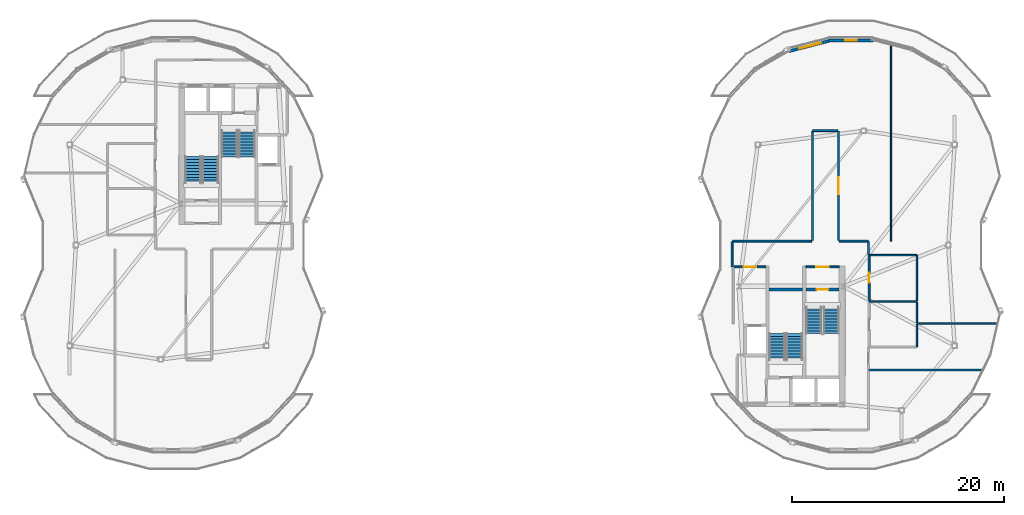
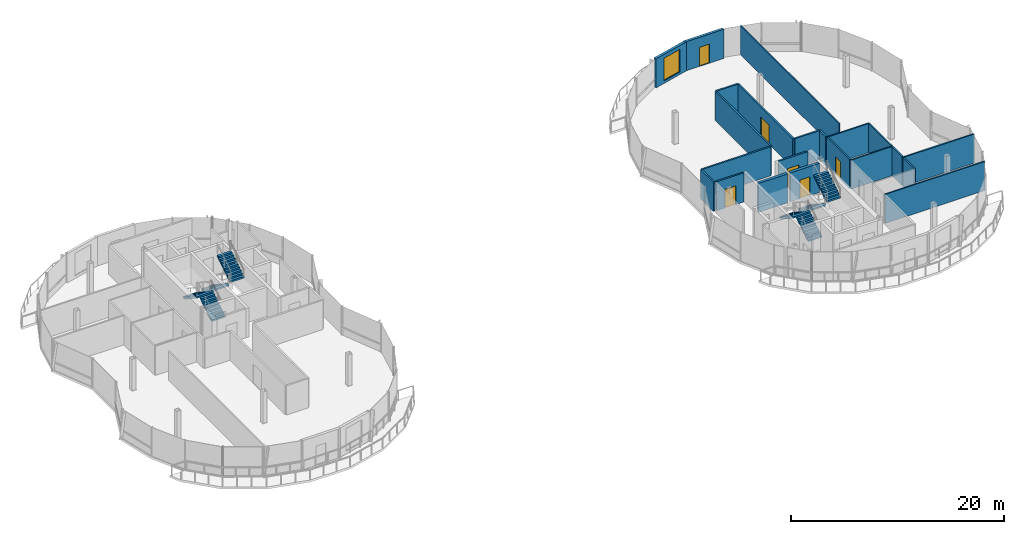
# One storey, part 14 of 20: 22 walls, 8 stair flights, 6 doors, 1 window, 7 openings, 4 elements without a shape of their own.
"""IFC4 building model written with IfcOpenShell, lengths in metres."""

import ifcopenshell
import ifcopenshell.guid

model = None  # the IFC model being written
_history = None  # IfcOwnerHistory: only IFC2X3 demands one
_inside = {}  # id of a spatial element -> (the spatial element, [elements in it])
_under = {}  # id of a project, library or spatial element -> (it, [spatial elements below it])
_declared = {}  # id of a project -> (the project, [libraries it declares])
_typed = {}  # id of a type object -> (the type object, [elements of that type])
_made_of = {}  # id of a material, layer set ... -> (it, [elements and type objects made of it])


def new_model(schema):
    """Start an empty IFC model of exactly this schema.

    Asked for "IFC4X3", IfcOpenShell would pick the latest addendum, in which some entities
    have other attributes; the version numbers below select the first issue.
    IFC2X3 requires an IfcOwnerHistory on every rooted entity: one is made here for all.
    """
    global model, _history
    if schema == "IFC4X3":
        model = ifcopenshell.file(schema_version=(4, 3, 0, 0))
    else:
        model = ifcopenshell.file(schema=schema)
    _inside.clear()
    _under.clear()
    _declared.clear()
    _typed.clear()
    _made_of.clear()
    _history = None
    if model.schema == "IFC2X3":
        org = make("IfcOrganization", Name="unknown")
        user = make(
            "IfcPersonAndOrganization",
            ThePerson=make("IfcPerson", FamilyName="unknown"),
            TheOrganization=org,
        )
        app = make(
            "IfcApplication",
            ApplicationDeveloper=org,
            Version="unknown",
            ApplicationFullName="unknown",
            ApplicationIdentifier="unknown",
        )
        _history = make(
            "IfcOwnerHistory",
            OwningUser=user,
            OwningApplication=app,
            ChangeAction="ADDED",
            CreationDate=0,
        )
    return model


def make(cls, **values):
    """One entity of the class cls with the attributes given. An attribute that is None is left unset."""
    return model.create_entity(
        cls, **{name: value for name, value in values.items() if value is not None}
    )


def rooted(cls, **values):
    """An entity with a GlobalId (a new one), such as an element, a storey or a relation."""
    return make(cls, GlobalId=ifcopenshell.guid.new(), OwnerHistory=_history, **values)


def si_unit(unit_type, name, prefix=None):
    """IfcSIUnit, for example si_unit("LENGTHUNIT", "METRE", prefix="MILLI")."""
    return make("IfcSIUnit", UnitType=unit_type, Prefix=prefix, Name=name)


def assignment(units):
    """IfcUnitAssignment: the units of a project."""
    return None if units is None else make("IfcUnitAssignment", Units=units)


def point(xyz):
    """IfcCartesianPoint."""
    return None if xyz is None else make("IfcCartesianPoint", Coordinates=xyz)


def direction(xyz):
    """IfcDirection."""
    return None if xyz is None else make("IfcDirection", DirectionRatios=xyz)


def frame(location, z_axis=None, x_axis=None):
    """IfcAxis2Placement3D, a coordinate frame: its origin and axes. An axis left out is left unset."""
    return make(
        "IfcAxis2Placement3D",
        Location=point(location),
        Axis=direction(z_axis),
        RefDirection=direction(x_axis),
    )


def frame_2d(location, x_axis=None):
    """IfcAxis2Placement2D, a coordinate frame in the plane: its origin and x axis."""
    return make(
        "IfcAxis2Placement2D", Location=point(location), RefDirection=direction(x_axis)
    )


def origin():
    """The frame at (0, 0, 0) with its axes left unset."""
    return frame((0.0, 0.0, 0.0))


def place(relative_to, where):
    """IfcLocalPlacement: puts the frame where relative to a parent placement (None: the world)."""
    return make(
        "IfcLocalPlacement", PlacementRelTo=relative_to, RelativePlacement=where
    )


def context(
    kind, dimensions, precision=None, world=None, true_north=None, identifier=None
):
    """IfcGeometricRepresentationContext, for example the 3D "Model" context."""
    return make(
        "IfcGeometricRepresentationContext",
        ContextIdentifier=identifier,
        ContextType=kind,
        CoordinateSpaceDimension=dimensions,
        Precision=precision,
        WorldCoordinateSystem=world,
        TrueNorth=true_north,
    )


def subcontext(parent, identifier, kind, view, scale=None):
    """IfcGeometricRepresentationSubContext, for example "Body" below "Model"."""
    return make(
        "IfcGeometricRepresentationSubContext",
        ContextIdentifier=identifier,
        ContextType=kind,
        ParentContext=parent,
        TargetScale=scale,
        TargetView=view,
    )


def project(units=None, contexts=None):
    """IfcProject with its units and contexts."""
    return rooted(
        "IfcProject",
        Name="project",
        RepresentationContexts=contexts,
        UnitsInContext=assignment(units),
    )


def spatial(cls, under=None, at=None, **own):
    """A site, building, storey or space (cls), placed at a placement, below another one or the project."""
    s = rooted(cls, ObjectPlacement=at, **own)
    if under is not None:
        _under.setdefault(under.id(), (under, []))[1].append(s)
    return s


def polyline(points):
    """IfcPolyline through the points."""
    return make("IfcPolyline", Points=[point(p) for p in points])


def profile(cls, at=None, kind="AREA", **sizes):
    """A parametric profile (cls). Its sizes go by their IFC names, for example OverallWidth=200.0."""
    return make(cls, ProfileType=kind, Position=at, **sizes)


def rectangle(**sizes):
    """IfcRectangleProfileDef."""
    return profile("IfcRectangleProfileDef", **sizes)


def outline(outer, holes=None, kind="AREA"):
    """IfcArbitraryClosedProfileDef: a profile drawn as a closed curve; with holes, ...WithVoids."""
    if holes is None:
        return make("IfcArbitraryClosedProfileDef", ProfileType=kind, OuterCurve=outer)
    return make(
        "IfcArbitraryProfileDefWithVoids",
        ProfileType=kind,
        OuterCurve=outer,
        InnerCurves=holes,
    )


def extrude(swept, where, along, depth):
    """IfcExtrudedAreaSolid: the profile swept, set in the frame where, extruded along a direction by depth."""
    return make(
        "IfcExtrudedAreaSolid",
        SweptArea=swept,
        Position=where,
        ExtrudedDirection=direction(along),
        Depth=depth,
    )


def shape(context_of_items, identifier, shape_type, items):
    """IfcShapeRepresentation: the items that make up one representation, for example the "Body"."""
    return make(
        "IfcShapeRepresentation",
        ContextOfItems=context_of_items,
        RepresentationIdentifier=identifier,
        RepresentationType=shape_type,
        Items=items,
    )


def material(Name=None, Category=None):
    """IfcMaterial."""
    return make("IfcMaterial", Name=Name, Category=Category)


def layer(
    of_material, thickness, ventilated=None, Name=None, Category=None, Priority=None
):
    """IfcMaterialLayer: one layer of a wall or slab, of a material (None: an air gap)."""
    return make(
        "IfcMaterialLayer",
        Material=of_material,
        LayerThickness=thickness,
        IsVentilated=ventilated,
        Name=Name,
        Category=Category,
        Priority=Priority,
    )


def layer_set(layers, Name=None):
    """IfcMaterialLayerSet."""
    return make("IfcMaterialLayerSet", MaterialLayers=layers, LayerSetName=Name)


def made_of(thing, what):
    """Note that an element or type object is made of a material, layer set ...; save() writes the relation."""
    if what is not None:
        _made_of.setdefault(what.id(), (what, []))[1].append(thing)
    return thing


def type_object(cls, material=None, **own):
    """A type object (cls), such as IfcWallType, which elements share."""
    return made_of(rooted(cls, **own), material)


def element(
    cls,
    number,
    at=None,
    inside=None,
    cuts=None,
    type_object=None,
    material=None,
    context=None,
    identifier="Body",
    shape_type=None,
    held_by="IfcProductDefinitionShape",
    body=None,
    shapes=None,
    **own,
):
    """One element of the class cls, such as IfcWall. Its Tag is "e" and its number.

    at: its placement. inside: the storey or other place that contains it. cuts: it is an
    opening in that element (IfcRelVoidsElement). A single representation is given by context,
    identifier, shape_type and body (its items); several are given by shapes. held_by: the class
    of the entity that holds the representations. save() writes the other relations.
    """
    e = rooted(cls, Tag="e%d" % number, ObjectPlacement=at, **own)
    if body is not None:
        shapes = [shape(context, identifier, shape_type, body)]
    if shapes is not None:
        e.Representation = make(held_by, Representations=shapes)
    if inside is not None:
        _inside.setdefault(inside.id(), (inside, []))[1].append(e)
    if cuts is not None:
        rooted(
            "IfcRelVoidsElement", RelatingBuildingElement=cuts, RelatedOpeningElement=e
        )
    if type_object is not None:
        _typed.setdefault(type_object.id(), (type_object, []))[1].append(e)
    return made_of(e, material)


def fill(opening, filler):
    """IfcRelFillsElement: the door or window that sits in an opening."""
    return rooted(
        "IfcRelFillsElement",
        RelatingOpeningElement=opening,
        RelatedBuildingElement=filler,
    )


def aggregate(whole, parts):
    """IfcRelAggregates: a whole, such as a stair, and the parts it consists of."""
    return rooted("IfcRelAggregates", RelatingObject=whole, RelatedObjects=parts)


def save(model, path):
    """Write the relations noted so far, then the file.

    IfcRelAggregates (storeys below a building ...), IfcRelContainedInSpatialStructure (elements
    in a storey), IfcRelDefinesByType, IfcRelAssociatesMaterial and IfcRelDeclares: one each for
    every whole, place, type object, material and project.
    """
    for whole, parts in _under.values():
        aggregate(whole, parts)
    for where, things in _inside.values():
        rooted(
            "IfcRelContainedInSpatialStructure",
            RelatedElements=things,
            RelatingStructure=where,
        )
    for kind, things in _typed.values():
        rooted("IfcRelDefinesByType", RelatedObjects=things, RelatingType=kind)
    for what, things in _made_of.values():
        rooted("IfcRelAssociatesMaterial", RelatedObjects=things, RelatingMaterial=what)
    for by, libraries in _declared.values():
        rooted("IfcRelDeclares", RelatingContext=by, RelatedDefinitions=libraries)
    model.write(path)


model = new_model("IFC4")

# Units and contexts
model_context = context("Model", 3, precision=1e-05, world=origin(), true_north=direction((0.0, 1.0)))
body_context = subcontext(model_context, "Body", "Model", "MODEL_VIEW")
ifc_project = project(units=[si_unit("LENGTHUNIT", "METRE"), si_unit("AREAUNIT", "SQUARE_METRE"), si_unit("VOLUMEUNIT", "CUBIC_METRE"), si_unit("PLANEANGLEUNIT", "RADIAN"), si_unit("MASSUNIT", "GRAM", prefix="KILO"), si_unit("THERMODYNAMICTEMPERATUREUNIT", "KELVIN"), si_unit("POWERUNIT", "WATT")], contexts=[model_context])

# Site, building, storey
site_placement = place(None, origin())
site = spatial("IfcSite", under=ifc_project, at=site_placement, CompositionType="ELEMENT")
building_placement = place(site_placement, origin())
building = spatial("IfcBuilding", under=site, at=building_placement, Name="Cundina Bronze Exchange", CompositionType="ELEMENT")
storey_placement = place(building_placement, frame((0.0, 0.0, 282.800048828125)))
storey = spatial("IfcBuildingStorey", under=building, at=storey_placement, Name="L75", CompositionType="ELEMENT", Elevation=282.800048828125)

# Wall, opening, door
ifc_material_1 = material(Name="Gypsum Fireboard Partition EI120")
ifc_layer_1 = layer(ifc_material_1, 0.179931640625, Name="Gypsum Fireboard Partition EI120")
ifc_layer_set_1 = layer_set([ifc_layer_1], Name="Gypsum Fireboard Partition EI120")
wall_type_1 = type_object("IfcWallType", Name="WL-COR-180", PredefinedType="PARTITIONING", material=ifc_layer_set_1)
wall_1_placement = place(storey_placement, frame((20.97998046875, -2.06005859375, 0.0), z_axis=(0.0, 0.0, 1.0), x_axis=(1.0, 0.0, 0.0)))
wall_1 = element("IfcWall", 1, at=wall_1_placement, inside=storey, type_object=wall_type_1, Name="L75 E Firefighting Lobby Exit Wall", PredefinedType="PARTITIONING", context=body_context, shape_type="SweptSolid", body=[
    extrude(rectangle(XDim=3.0, YDim=0.179931640625, at=frame_2d((1.5, 0.0))), origin(), (0.0, 0.0, 1.0), 3.33984375),
])
opening_1_placement = place(wall_1_placement, frame((0.89990234375, 0.0, 0.0)))
opening_1 = element("IfcOpeningElement", 2, at=opening_1_placement, cuts=wall_1, Name="Opening DF-01", PredefinedType="OPENING", context=body_context, shape_type="SweptSolid", body=[
    extrude(rectangle(XDim=1.199951171875, YDim=2.14990234375, at=frame_2d((0.60009765625, 1.074951171875))), frame((0.0, 0.099853515625, 0.0), z_axis=(0.0, -1.0, 0.0), x_axis=(1.0, 0.0, 0.0)), (0.0, 0.0, 1.0), 0.199951171875),
])
ifc_material_2 = material(Name="Steel ASTM A36 Painted", Category="steel")
door_type_1 = type_object("IfcDoorType", Name="DR-FFL-1200", OperationType="NOTDEFINED", PredefinedType="DOOR", material=ifc_material_2)
door_1_placement = place(opening_1_placement, origin())
door_1 = element("IfcDoor", 3, at=door_1_placement, inside=storey, type_object=door_type_1, Name="L75 E Firefighting Lobby Door", OperationType="SINGLE_SWING_LEFT", OverallHeight=2.14990234375, OverallWidth=1.199951171875, PredefinedType="DOOR", context=body_context, shape_type="SweptSolid", body=[
    extrude(rectangle(XDim=1.199951171875, YDim=2.14990234375, at=frame_2d((0.60009765625, 1.074951171875))), frame((0.0, 0.02490234375, 0.0), z_axis=(0.0, -1.0, 0.0), x_axis=(1.0, 0.0, 0.0)), (0.0, 0.0, 1.0), 0.050048828125),
])
fill(opening_1, door_1)

wall_2_placement = place(storey_placement, frame((27.739990234375, -2.06005859375, 0.0), z_axis=(0.0, 0.0, 1.0), x_axis=(1.0, 0.0, 0.0)))
wall_2 = element("IfcWall", 4, at=wall_2_placement, inside=storey, type_object=wall_type_1, Name="L75 E Stair Vestibule Exit Wall", PredefinedType="PARTITIONING", context=body_context, shape_type="SweptSolid", body=[
    extrude(rectangle(XDim=3.159912109375, YDim=0.179931640625, at=frame_2d((1.580078125, 0.0))), origin(), (0.0, 0.0, 1.0), 3.33984375),
])
opening_2_placement = place(wall_2_placement, frame((0.97998046875, 0.0, 0.0)))
opening_2 = element("IfcOpeningElement", 5, at=opening_2_placement, cuts=wall_2, Name="Opening DF-01", PredefinedType="OPENING", context=body_context, shape_type="SweptSolid", body=[
    extrude(rectangle(XDim=1.199951171875, YDim=2.14990234375, at=frame_2d((0.60009765625, 1.074951171875))), frame((0.0, 0.099853515625, 0.0), z_axis=(0.0, -1.0, 0.0), x_axis=(1.0, 0.0, 0.0)), (0.0, 0.0, 1.0), 0.199951171875),
])
door_2_placement = place(opening_2_placement, origin())
door_2 = element("IfcDoor", 6, at=door_2_placement, inside=storey, type_object=door_type_1, Name="L75 E Stair Vestibule Door", OperationType="SINGLE_SWING_RIGHT", OverallHeight=2.14990234375, OverallWidth=1.199951171875, PredefinedType="DOOR", context=body_context, shape_type="SweptSolid", body=[
    extrude(rectangle(XDim=1.199951171875, YDim=2.14990234375, at=frame_2d((0.60009765625, 1.074951171875))), frame((0.0, 0.02490234375, 0.0), z_axis=(0.0, -1.0, 0.0), x_axis=(1.0, 0.0, 0.0)), (0.0, 0.0, 1.0), 0.050048828125),
])
fill(opening_2, door_2)

wall_3_placement = place(storey_placement, frame((33.719970703125, -5.22998046875, 0.0), z_axis=(0.0, 0.0, 1.0), x_axis=(0.0, 1.0, 0.0)))
wall_3 = element("IfcWall", 7, at=wall_3_placement, inside=storey, type_object=wall_type_1, Name="L75 Interior Partition 036", PredefinedType="PARTITIONING", context=body_context, shape_type="SweptSolid", body=[
    extrude(rectangle(XDim=4.260009765625, YDim=0.179931640625, at=frame_2d((2.1298828125, 0.0))), origin(), (0.0, 0.0, 1.0), 3.33984375),
])
opening_3_placement = place(wall_3_placement, frame((1.655029296875, 0.0, 0.0)))
opening_3 = element("IfcOpeningElement", 8, at=opening_3_placement, cuts=wall_3, Name="Opening DW-01", PredefinedType="OPENING", context=body_context, shape_type="SweptSolid", body=[
    extrude(rectangle(XDim=0.949951171875, YDim=2.10009765625, at=frame_2d((0.47509765625, 1.050048828125))), frame((0.0, 0.099853515625, 0.0), z_axis=(0.0, -1.0, 0.0), x_axis=(1.0, 0.0, 0.0)), (0.0, 0.0, 1.0), 0.199951171875),
])
ifc_material_3 = material(Name="Solid Andean Oak Timber Grade A", Category="wood")
door_type_2 = type_object("IfcDoorType", Name="DR-WC-950", OperationType="NOTDEFINED", PredefinedType="DOOR", material=ifc_material_3)
door_3_placement = place(opening_3_placement, origin())
door_3 = element("IfcDoor", 9, at=door_3_placement, inside=storey, type_object=door_type_2, Name="L75 Interior Door 036", OperationType="SINGLE_SWING_RIGHT", OverallHeight=2.10009765625, OverallWidth=0.949951171875, PredefinedType="DOOR", context=body_context, shape_type="SweptSolid", body=[
    extrude(rectangle(XDim=0.949951171875, YDim=2.10009765625, at=frame_2d((0.47509765625, 1.050048828125))), frame((0.0, 0.02490234375, 0.0), z_axis=(0.0, -1.0, 0.0), x_axis=(1.0, 0.0, 0.0)), (0.0, 0.0, 1.0), 0.050048828125),
])
fill(opening_3, door_3)

wall_4_placement = place(storey_placement, frame((30.820068359375, 0.449951171875, 0.0), z_axis=(0.0, 0.0, 1.0), x_axis=(0.0, 1.0, 0.0)))
wall_4 = element("IfcWall", 10, at=wall_4_placement, inside=storey, type_object=wall_type_1, Name="L75 Interior Partition 044", PredefinedType="PARTITIONING", context=body_context, shape_type="SweptSolid", body=[
    extrude(rectangle(XDim=10.32861328125, YDim=0.179931640625, at=frame_2d((5.164306640625, 0.0))), origin(), (0.0, 0.0, 1.0), 3.33984375),
])
opening_4_placement = place(wall_4_placement, frame((4.3642578125, 0.0, 0.0)))
opening_4 = element("IfcOpeningElement", 11, at=opening_4_placement, cuts=wall_4, Name="Opening DO-02", PredefinedType="OPENING", context=body_context, shape_type="SweptSolid", body=[
    extrude(rectangle(XDim=1.60009765625, YDim=2.199951171875, at=frame_2d((0.800048828125, 1.10009765625))), frame((0.0, 0.099853515625, 0.0), z_axis=(0.0, -1.0, 0.0), x_axis=(1.0, 0.0, 0.0)), (0.0, 0.0, 1.0), 0.199951171875),
])
door_type_3 = type_object("IfcDoorType", Name="DR-TRD-1600", OperationType="NOTDEFINED", PredefinedType="DOOR", material=ifc_material_3)
door_4_placement = place(opening_4_placement, origin())
door_4 = element("IfcDoor", 12, at=door_4_placement, inside=storey, type_object=door_type_3, Name="L75 Interior Door 044", OperationType="SINGLE_SWING_RIGHT", OverallHeight=2.199951171875, OverallWidth=1.60009765625, PredefinedType="DOOR", context=body_context, shape_type="SweptSolid", body=[
    extrude(rectangle(XDim=1.60009765625, YDim=2.199951171875, at=frame_2d((0.800048828125, 1.10009765625))), frame((0.0, 0.02490234375, 0.0), z_axis=(0.0, -1.0, 0.0), x_axis=(1.0, 0.0, 0.0)), (0.0, 0.0, 1.0), 0.050048828125),
])
fill(opening_4, door_4)

# Walls
wall_5_placement = place(storey_placement, frame((28.3798828125, 10.778564453125, 0.0), z_axis=(0.0, 0.0, 1.0), x_axis=(0.0, -1.0, 0.0)))
element("IfcWall", 13, at=wall_5_placement, inside=storey, type_object=wall_type_1, Name="L75 Interior Partition 045", PredefinedType="PARTITIONING", context=body_context, shape_type="SweptSolid", body=[
    extrude(rectangle(XDim=10.32861328125, YDim=0.179931640625, at=frame_2d((5.164306640625, 0.0))), origin(), (0.0, 0.0, 1.0), 3.33984375),
])
wall_6_placement = place(storey_placement, frame((28.300048828125, 0.3701171875, 0.0), z_axis=(0.0, 0.0, 1.0), x_axis=(-1.0, 0.0, 0.0)))
element("IfcWall", 14, at=wall_6_placement, inside=storey, type_object=wall_type_1, Name="L75 Interior Partition 046", PredefinedType="PARTITIONING", context=body_context, shape_type="SweptSolid", body=[
    extrude(rectangle(XDim=7.478515625, YDim=0.179931640625, at=frame_2d((3.7392578125, 0.0))), origin(), (0.0, 0.0, 1.0), 3.33984375),
])
wall_7_placement = place(storey_placement, frame((33.62841796875, 0.3701171875, 0.0), z_axis=(0.0, 0.0, 1.0), x_axis=(-1.0, 0.0, 0.0)))
element("IfcWall", 15, at=wall_7_placement, inside=storey, type_object=wall_type_1, Name="L75 Interior Partition 047", PredefinedType="PARTITIONING", context=body_context, shape_type="SweptSolid", body=[
    extrude(rectangle(XDim=2.728515625, YDim=0.179931640625, at=frame_2d((1.3642578125, 0.0))), origin(), (0.0, 0.0, 1.0), 3.33984375),
])
wall_8_placement = place(storey_placement, frame((20.780029296875, 0.32861328125, 0.0), z_axis=(0.0, 0.0, 1.0), x_axis=(0.0, -1.0, 0.0)))
element("IfcWall", 16, at=wall_8_placement, inside=storey, type_object=wall_type_1, Name="L75 Interior Partition 048", PredefinedType="PARTITIONING", context=body_context, shape_type="SweptSolid", body=[
    extrude(rectangle(XDim=2.38720703125, YDim=0.179931640625, at=frame_2d((1.193603515625, 0.0))), origin(), (0.0, 0.0, 1.0), 3.33984375),
])
wall_9_placement = place(storey_placement, frame((30.778564453125, 10.820068359375, 0.0), z_axis=(0.0, 0.0, 1.0), x_axis=(-1.0, 0.0, 0.0)))
element("IfcWall", 17, at=wall_9_placement, inside=storey, type_object=wall_type_1, Name="L75 Interior Partition 049", PredefinedType="PARTITIONING", context=body_context, shape_type="SweptSolid", body=[
    extrude(rectangle(XDim=2.357177734375, YDim=0.179931640625, at=frame_2d((1.1787109375, 0.0))), origin(), (0.0, 0.0, 1.0), 3.33984375),
])
wall_10_placement = place(storey_placement, frame((33.669921875, -0.858642578125, 0.0), z_axis=(0.0, 0.0, 1.0), x_axis=(0.0, 1.0, 0.0)))
element("IfcWall", 18, at=wall_10_placement, inside=storey, type_object=wall_type_1, Name="L75 Interior Partition 050", PredefinedType="PARTITIONING", context=body_context, shape_type="SweptSolid", body=[
    extrude(rectangle(XDim=1.187255859375, YDim=0.179931640625, at=frame_2d((0.59375, 0.0))), origin(), (0.0, 0.0, 1.0), 3.33984375),
])

# Wall, opening, door
ifc_material_4 = material(Name="Precast Concrete C45/55", Category="concrete")
ifc_layer_2 = layer(ifc_material_4, 0.280029296875, Name="Precast Concrete C45/55", Category="concrete")
ifc_layer_set_2 = layer_set([ifc_layer_2], Name="Precast Concrete C45/55")
wall_type_2 = type_object("IfcWallType", Name="WL-EXT-280", PredefinedType="SOLIDWALL", material=ifc_layer_set_2)
wall_11_placement = place(storey_placement, frame((34.124755859375, 19.31787109375, 0.0), z_axis=(0.0, 0.0, 1.0), x_axis=(-1.0, 0.0, 0.0)))
wall_11 = element("IfcWall", 19, at=wall_11_placement, inside=storey, type_object=wall_type_2, Name="L75 Leg E Crown Terrace Wall 06", PredefinedType="SOLIDWALL", context=body_context, shape_type="SweptSolid", body=[
    extrude(rectangle(XDim=4.24951171875, YDim=0.280029296875, at=frame_2d((2.124755859375, 0.0))), origin(), (0.0, 0.0, 1.0), 3.33984375),
])
opening_5_placement = place(wall_11_placement, frame((1.574951171875, 0.0, 0.0)))
opening_5 = element("IfcOpeningElement", 20, at=opening_5_placement, cuts=wall_11, Name="Opening DT-01", PredefinedType="OPENING", context=body_context, shape_type="SweptSolid", body=[
    extrude(rectangle(XDim=1.10009765625, YDim=2.199951171875, at=frame_2d((0.550048828125, 1.10009765625))), frame((0.0, 0.14990234375, 0.0), z_axis=(0.0, -1.0, 0.0), x_axis=(1.0, 0.0, 0.0)), (0.0, 0.0, 1.0), 0.300048828125),
])
ifc_material_5 = material(Name="Anodised Bronze Aluminium 6063-T6", Category="aluminium")
door_type_4 = type_object("IfcDoorType", Name="DR-TER-1100", OperationType="NOTDEFINED", PredefinedType="DOOR", material=ifc_material_5)
door_5_placement = place(opening_5_placement, origin())
door_5 = element("IfcDoor", 21, at=door_5_placement, inside=storey, type_object=door_type_4, Name="L75 Leg E Planted Terrace Access Door 06", OperationType="SINGLE_SWING_LEFT", OverallHeight=2.199951171875, OverallWidth=1.10009765625, PredefinedType="DOOR", context=body_context, shape_type="SweptSolid", body=[
    extrude(rectangle(XDim=1.10009765625, YDim=2.199951171875, at=frame_2d((0.550048828125, 1.10009765625))), frame((0.0, 0.02490234375, 0.0), z_axis=(0.0, -1.0, 0.0), x_axis=(1.0, 0.0, 0.0)), (0.0, 0.0, 1.0), 0.050048828125),
])
fill(opening_5, door_5)

# Wall, opening, window
wall_12_placement = place(storey_placement, frame((30.190185546875, 19.35791015625, 0.0), z_axis=(0.0, 0.0, 1.0), x_axis=(-0.968211504127, -0.250132931211, 0.0)))
wall_12 = element("IfcWall", 22, at=wall_12_placement, inside=storey, type_object=wall_type_2, Name="L75 Leg E Crown Feature Wall 07", PredefinedType="SOLIDWALL", context=body_context, shape_type="SweptSolid", body=[
    extrude(rectangle(XDim=4.199951171875, YDim=0.280029296875, at=frame_2d((2.10009765625, 0.0))), origin(), (0.0, 0.0, 1.0), 3.33984375),
])
opening_6_placement = place(wall_12_placement, frame((1.050048828125, 0.0, 0.300048828125)))
opening_6 = element("IfcOpeningElement", 23, at=opening_6_placement, cuts=wall_12, Name="Opening W-04", PredefinedType="OPENING", context=body_context, shape_type="SweptSolid", body=[
    extrude(rectangle(XDim=2.10009765625, YDim=2.60009765625, at=frame_2d((1.050048828125, 1.300048828125))), frame((0.0, 0.14990234375, 0.0), z_axis=(0.0, -1.0, 0.0), x_axis=(1.0, 0.0, 0.0)), (0.0, 0.0, 1.0), 0.300048828125),
])
ifc_material_6 = material(Name="Clear Low-E Insulating Glass 26mm", Category="glass")
window_type = type_object("IfcWindowType", Name="WN-CRN-2100", PartitioningType="SINGLE_PANEL", PredefinedType="WINDOW", material=ifc_material_6)
window_placement = place(opening_6_placement, origin())
window = element("IfcWindow", 24, at=window_placement, inside=storey, type_object=window_type, Name="L75 Leg E Crown Pavilion Window 07", OverallHeight=2.60009765625, OverallWidth=2.10009765625, PartitioningType="SINGLE_PANEL", PredefinedType="WINDOW", context=body_context, shape_type="SweptSolid", body=[
    extrude(rectangle(XDim=2.10009765625, YDim=2.60009765625, at=frame_2d((1.050048828125, 1.300048828125))), frame((0.0, 0.030029296875, 0.0), z_axis=(0.0, -1.0, 0.0), x_axis=(1.0, 0.0, 0.0)), (0.0, 0.0, 1.0), 0.06005859375),
])
fill(opening_6, window)

# Wall
ifc_material_7 = material(Name="Gypsum Acoustic Partition EI60")
ifc_layer_3 = layer(ifc_material_7, 0.125, Name="Gypsum Acoustic Partition EI60")
ifc_layer_set_3 = layer_set([ifc_layer_3], Name="Gypsum Acoustic Partition EI60")
wall_type_3 = type_object("IfcWallType", Name="WL-OFF-125", PredefinedType="PARTITIONING", material=ifc_layer_set_3)
wall_13_placement = place(storey_placement, frame((35.800048828125, 0.3701171875, 0.0), z_axis=(0.0, 0.0, 1.0), x_axis=(0.0, 1.0, 0.0)))
element("IfcWall", 25, at=wall_13_placement, inside=storey, type_object=wall_type_3, Name="L75 Interior Partition 038", PredefinedType="PARTITIONING", context=body_context, shape_type="SweptSolid", body=[
    extrude(rectangle(XDim=18.586669921875, YDim=0.125, at=frame_2d((9.29345703125, 0.0))), origin(), (0.0, 0.0, 1.0), 3.33984375),
])

# Wall, opening, door
ifc_material_8 = material(Name="Concrete C50/60", Category="concrete")
ifc_layer_4 = layer(ifc_material_8, 0.300048828125, Name="Concrete C50/60", Category="concrete")
ifc_layer_set_4 = layer_set([ifc_layer_4], Name="Concrete C50/60")
wall_type_4 = type_object("IfcWallType", Name="WL-SHFT-300", PredefinedType="SHEAR", material=ifc_layer_set_4)
wall_14_placement = place(storey_placement, frame((27.739990234375, -4.199951171875, 0.0), z_axis=(0.0, 0.0, 1.0), x_axis=(1.0, 0.0, 0.0)))
wall_14 = element("IfcWall", 26, at=wall_14_placement, inside=storey, type_object=wall_type_4, Name="L75 Stair E1 Landing Wall", PredefinedType="SHEAR", context=body_context, shape_type="SweptSolid", body=[
    extrude(rectangle(XDim=3.159912109375, YDim=0.300048828125, at=frame_2d((1.580078125, 0.0))), origin(), (0.0, 0.0, 1.0), 3.33984375),
])
opening_7_placement = place(wall_14_placement, frame((1.030029296875, 0.0, 0.0)))
opening_7 = element("IfcOpeningElement", 27, at=opening_7_placement, cuts=wall_14, Name="Opening DS-01", PredefinedType="OPENING", context=body_context, shape_type="SweptSolid", body=[
    extrude(rectangle(XDim=1.10009765625, YDim=2.14990234375, at=frame_2d((0.550048828125, 1.074951171875))), frame((0.0, 0.159912109375, 0.0), z_axis=(0.0, -1.0, 0.0), x_axis=(1.0, 0.0, 0.0)), (0.0, 0.0, 1.0), 0.320068359375),
])
door_type_5 = type_object("IfcDoorType", Name="DR-STR-1100", OperationType="NOTDEFINED", PredefinedType="DOOR", material=ifc_material_2)
door_6_placement = place(opening_7_placement, origin())
door_6 = element("IfcDoor", 28, at=door_6_placement, inside=storey, type_object=door_type_5, Name="L75 Smokeproof Stair E1 Door", OperationType="SINGLE_SWING_LEFT", OverallHeight=2.14990234375, OverallWidth=1.10009765625, PredefinedType="DOOR", context=body_context, shape_type="SweptSolid", body=[
    extrude(rectangle(XDim=1.10009765625, YDim=2.14990234375, at=frame_2d((0.550048828125, 1.074951171875))), frame((0.0, 0.02490234375, 0.0), z_axis=(0.0, -1.0, 0.0), x_axis=(1.0, 0.0, 0.0)), (0.0, 0.0, 1.0), 0.050048828125),
])
fill(opening_7, door_6)

# Walls
wall_15_placement = place(storey_placement, frame((24.280029296875, -4.199951171875, 0.0), z_axis=(0.0, 0.0, 1.0), x_axis=(1.0, 0.0, 0.0)))
element("IfcWall", 29, at=wall_15_placement, inside=storey, type_object=wall_type_4, Name="L75 Stair E2 Far Shaft Wall", PredefinedType="SHEAR", context=body_context, shape_type="SweptSolid", body=[
    extrude(rectangle(XDim=3.159912109375, YDim=0.300048828125, at=frame_2d((1.580078125, 0.0))), origin(), (0.0, 0.0, 1.0), 3.33984375),
])
ifc_layer_5 = layer(ifc_material_7, 0.14990234375, Name="Gypsum Acoustic Partition EI60")
ifc_layer_set_5 = layer_set([ifc_layer_5], Name="Gypsum Acoustic Partition EI60")
wall_type_5 = type_object("IfcWallType", Name="WL-TEN-150", PredefinedType="PARTITIONING", material=ifc_layer_set_5)
wall_16_placement = place(storey_placement, frame((38.27001953125, -7.39990234375, 0.0), z_axis=(0.0, 0.0, 1.0), x_axis=(1.0, 0.0, 0.0)))
element("IfcWall", 30, at=wall_16_placement, inside=storey, type_object=wall_type_5, Name="L75 Interior Partition 039", PredefinedType="PARTITIONING", context=body_context, shape_type="SweptSolid", body=[
    extrude(rectangle(XDim=7.648681640625, YDim=0.14990234375, at=frame_2d((3.82421875, 0.0))), origin(), (0.0, 0.0, 1.0), 3.33984375),
])
wall_17_placement = place(storey_placement, frame((33.699951171875, -11.800048828125, 0.0), z_axis=(0.0, 0.0, 1.0), x_axis=(1.0, 0.0, 0.0)))
element("IfcWall", 31, at=wall_17_placement, inside=storey, type_object=wall_type_5, Name="L75 Interior Partition 040", PredefinedType="PARTITIONING", context=body_context, shape_type="SweptSolid", body=[
    extrude(rectangle(XDim=10.841552734375, YDim=0.14990234375, at=frame_2d((5.4208984375, 0.0))), origin(), (0.0, 0.0, 1.0), 3.33984375),
])
ifc_material_9 = material(Name="Moisture-Resistant Masonry Block Grade M15", Category="masonry")
ifc_layer_6 = layer(ifc_material_9, 0.139892578125, Name="Moisture-Resistant Masonry Block Grade M15", Category="masonry")
ifc_layer_set_6 = layer_set([ifc_layer_6], Name="Moisture-Resistant Masonry Block Grade M15")
wall_type_6 = type_object("IfcWallType", Name="WL-WET-140", PredefinedType="PARTITIONING", material=ifc_layer_set_6)
wall_18_placement = place(storey_placement, frame((38.239990234375, -9.590087890625, 0.0), z_axis=(0.0, 0.0, 1.0), x_axis=(0.0, 1.0, 0.0)))
element("IfcWall", 32, at=wall_18_placement, inside=storey, type_object=wall_type_6, Name="L75 Interior Partition 030", PredefinedType="PARTITIONING", context=body_context, shape_type="SweptSolid", body=[
    extrude(rectangle(XDim=2.10498046875, YDim=0.139892578125, at=frame_2d((1.052490234375, 0.0))), origin(), (0.0, 0.0, 1.0), 3.33984375),
])
wall_19_placement = place(storey_placement, frame((38.239990234375, -7.31494140625, 0.0), z_axis=(0.0, 0.0, 1.0), x_axis=(0.0, 1.0, 0.0)))
element("IfcWall", 33, at=wall_19_placement, inside=storey, type_object=wall_type_6, Name="L75 Interior Partition 031", PredefinedType="PARTITIONING", context=body_context, shape_type="SweptSolid", body=[
    extrude(rectangle(XDim=1.89990234375, YDim=0.139892578125, at=frame_2d((0.949951171875, 0.0))), origin(), (0.0, 0.0, 1.0), 3.33984375),
])
wall_20_placement = place(storey_placement, frame((38.239990234375, -5.2451171875, 0.0), z_axis=(0.0, 0.0, 1.0), x_axis=(0.0, 1.0, 0.0)))
element("IfcWall", 34, at=wall_20_placement, inside=storey, type_object=wall_type_6, Name="L75 Interior Partition 032", PredefinedType="PARTITIONING", context=body_context, shape_type="SweptSolid", body=[
    extrude(rectangle(XDim=4.275146484375, YDim=0.139892578125, at=frame_2d((2.1376953125, 0.0))), origin(), (0.0, 0.0, 1.0), 3.33984375),
])
for number, where, z_axis, x_axis, name in (
    (35, (33.739990234375, -0.949951171875, 0.0), (0.0, 0.0, 1.0), (1.0, 0.0, 0.0), "L75 Interior Partition 033"),
    (36, (33.739990234375, -5.330078125, 0.0), (0.0, 0.0, 1.0), (1.0, 0.0, 0.0), "L75 Interior Partition 034"),
):
    element("IfcWall", number, at=place(storey_placement, frame(where, z_axis=z_axis, x_axis=x_axis)), inside=storey, type_object=wall_type_6, Name=name, PredefinedType="PARTITIONING", context=body_context, shape_type="SweptSolid", body=[
        extrude(rectangle(XDim=4.47998046875, YDim=0.139892578125, at=frame_2d((2.239990234375, 0.0))), origin(), (0.0, 0.0, 1.0), 3.33984375),
    ])

# Stair, stair flights
ifc_material_10 = material(Name="Concrete C40/50", Category="concrete")
stair_type = type_object("IfcStairType", Name="STR-OFF-360", PredefinedType="HALF_TURN_STAIR", material=ifc_material_10)
stair_1_placement = place(storey_placement, origin())
stair_1 = element("IfcStair", 37, at=stair_1_placement, inside=storey, type_object=stair_type, Name="L75 Smokeproof Exit Stair W1", PredefinedType="HALF_TURN_STAIR")
stair_flight_type = type_object("IfcStairFlightType", Name="FLG-OFF-180", PredefinedType="STRAIGHT", material=ifc_material_10)
stair_flight_1_placement = place(storey_placement, frame((-28.489990234375, 5.85009765625, 0.0), z_axis=(0.0, 0.0, 1.0), x_axis=(0.0, 1.0, 0.0)))
stair_flight_1 = element("IfcStairFlight", 38, at=stair_flight_1_placement, type_object=stair_flight_type, Name="ST-W1 flight 1", NumberOfRisers=10, NumberOfTreads=9, PredefinedType="STRAIGHT", RiserHeight=0.18, TreadLength=0.28, context=body_context, shape_type="SweptSolid", body=[
    extrude(outline(polyline([(0.0, 0.0), (0.0, 0.179931640625), (0.280029296875, 0.179931640625), (0.280029296875, 0.360107421875), (0.56005859375, 0.360107421875), (0.56005859375, 0.5400390625), (0.840087890625, 0.5400390625), (0.840087890625, 0.719970703125), (1.1201171875, 0.719970703125), (1.1201171875, 0.89990234375), (1.39990234375, 0.89990234375), (1.39990234375, 1.080078125), (1.679931640625, 1.080078125), (1.679931640625, 1.260009765625), (1.9599609375, 1.260009765625), (1.9599609375, 1.43994140625), (2.239990234375, 1.43994140625), (2.239990234375, 1.6201171875), (2.52001953125, 1.6201171875), (2.52001953125, 1.800048828125), (2.52001953125, 1.44189453125), (0.277099609375, 0.0), (0.0, 0.0)])), frame((0.0, 0.75, 0.0), z_axis=(0.0, -1.0, 0.0), x_axis=(1.0, 0.0, 0.0)), (0.0, 0.0, 1.0), 1.5),
])
stair_flight_2_placement = place(storey_placement, frame((-30.14990234375, 8.3701171875, 1.800048828125), z_axis=(0.0, 0.0, 1.0), x_axis=(0.0, -1.0, 0.0)))
stair_flight_2 = element("IfcStairFlight", 39, at=stair_flight_2_placement, type_object=stair_flight_type, Name="ST-W1 flight 2", NumberOfRisers=10, NumberOfTreads=9, PredefinedType="STRAIGHT", RiserHeight=0.18, TreadLength=0.28, context=body_context, shape_type="SweptSolid", body=[
    extrude(outline(polyline([(0.0, 0.0), (0.0, 0.179931640625), (0.280029296875, 0.179931640625), (0.280029296875, 0.360107421875), (0.56005859375, 0.360107421875), (0.56005859375, 0.5400390625), (0.840087890625, 0.5400390625), (0.840087890625, 0.719970703125), (1.1201171875, 0.719970703125), (1.1201171875, 0.89990234375), (1.39990234375, 0.89990234375), (1.39990234375, 1.080078125), (1.679931640625, 1.080078125), (1.679931640625, 1.260009765625), (1.9599609375, 1.260009765625), (1.9599609375, 1.43994140625), (2.239990234375, 1.43994140625), (2.239990234375, 1.6201171875), (2.52001953125, 1.6201171875), (2.52001953125, 1.800048828125), (2.52001953125, 1.44189453125), (0.277099609375, 0.0), (0.0, 0.0)])), frame((0.0, 0.75, 0.0), z_axis=(0.0, -1.0, 0.0), x_axis=(1.0, 0.0, 0.0)), (0.0, 0.0, 1.0), 1.5),
])
aggregate(stair_1, [stair_flight_1, stair_flight_2])

stair_2_placement = place(storey_placement, origin())
stair_2 = element("IfcStair", 40, at=stair_2_placement, inside=storey, type_object=stair_type, Name="L75 Smokeproof Exit Stair W2", PredefinedType="HALF_TURN_STAIR")
stair_flight_3_placement = place(storey_placement, frame((-26.68994140625, 10.85009765625, 0.0), z_axis=(0.0, 0.0, 1.0), x_axis=(0.0, -1.0, 0.0)))
stair_flight_3 = element("IfcStairFlight", 41, at=stair_flight_3_placement, type_object=stair_flight_type, Name="ST-W2 flight 1", NumberOfRisers=10, NumberOfTreads=9, PredefinedType="STRAIGHT", RiserHeight=0.18, TreadLength=0.28, context=body_context, shape_type="SweptSolid", body=[
    extrude(outline(polyline([(0.0, 0.0), (0.0, 0.179931640625), (0.280029296875, 0.179931640625), (0.280029296875, 0.360107421875), (0.56005859375, 0.360107421875), (0.56005859375, 0.5400390625), (0.840087890625, 0.5400390625), (0.840087890625, 0.719970703125), (1.1201171875, 0.719970703125), (1.1201171875, 0.89990234375), (1.39990234375, 0.89990234375), (1.39990234375, 1.080078125), (1.679931640625, 1.080078125), (1.679931640625, 1.260009765625), (1.9599609375, 1.260009765625), (1.9599609375, 1.43994140625), (2.239990234375, 1.43994140625), (2.239990234375, 1.6201171875), (2.52001953125, 1.6201171875), (2.52001953125, 1.800048828125), (2.52001953125, 1.44189453125), (0.277099609375, 0.0), (0.0, 0.0)])), frame((0.0, 0.75, 0.0), z_axis=(0.0, -1.0, 0.0), x_axis=(1.0, 0.0, 0.0)), (0.0, 0.0, 1.0), 1.5),
])
stair_flight_4_placement = place(storey_placement, frame((-25.030029296875, 8.330078125, 1.800048828125), z_axis=(0.0, 0.0, 1.0), x_axis=(0.0, 1.0, 0.0)))
stair_flight_4 = element("IfcStairFlight", 42, at=stair_flight_4_placement, type_object=stair_flight_type, Name="ST-W2 flight 2", NumberOfRisers=10, NumberOfTreads=9, PredefinedType="STRAIGHT", RiserHeight=0.18, TreadLength=0.28, context=body_context, shape_type="SweptSolid", body=[
    extrude(outline(polyline([(0.0, 0.0), (0.0, 0.179931640625), (0.280029296875, 0.179931640625), (0.280029296875, 0.360107421875), (0.56005859375, 0.360107421875), (0.56005859375, 0.5400390625), (0.840087890625, 0.5400390625), (0.840087890625, 0.719970703125), (1.1201171875, 0.719970703125), (1.1201171875, 0.89990234375), (1.39990234375, 0.89990234375), (1.39990234375, 1.080078125), (1.679931640625, 1.080078125), (1.679931640625, 1.260009765625), (1.9599609375, 1.260009765625), (1.9599609375, 1.43994140625), (2.239990234375, 1.43994140625), (2.239990234375, 1.6201171875), (2.52001953125, 1.6201171875), (2.52001953125, 1.800048828125), (2.52001953125, 1.44189453125), (0.277099609375, 0.0), (0.0, 0.0)])), frame((0.0, 0.75, 0.0), z_axis=(0.0, -1.0, 0.0), x_axis=(1.0, 0.0, 0.0)), (0.0, 0.0, 1.0), 1.5),
])
aggregate(stair_2, [stair_flight_3, stair_flight_4])

stair_3_placement = place(storey_placement, origin())
stair_3 = element("IfcStair", 43, at=stair_3_placement, inside=storey, type_object=stair_type, Name="L75 Smokeproof Exit Stair E1", PredefinedType="HALF_TURN_STAIR")
stair_flight_5_placement = place(storey_placement, frame((28.489990234375, -5.85009765625, 0.0), z_axis=(0.0, 0.0, 1.0), x_axis=(0.0, -1.0, 0.0)))
stair_flight_5 = element("IfcStairFlight", 44, at=stair_flight_5_placement, type_object=stair_flight_type, Name="ST-E1 flight 1", NumberOfRisers=10, NumberOfTreads=9, PredefinedType="STRAIGHT", RiserHeight=0.18, TreadLength=0.28, context=body_context, shape_type="SweptSolid", body=[
    extrude(outline(polyline([(0.0, 0.0), (0.0, 0.179931640625), (0.280029296875, 0.179931640625), (0.280029296875, 0.360107421875), (0.56005859375, 0.360107421875), (0.56005859375, 0.5400390625), (0.840087890625, 0.5400390625), (0.840087890625, 0.719970703125), (1.1201171875, 0.719970703125), (1.1201171875, 0.89990234375), (1.39990234375, 0.89990234375), (1.39990234375, 1.080078125), (1.679931640625, 1.080078125), (1.679931640625, 1.260009765625), (1.9599609375, 1.260009765625), (1.9599609375, 1.43994140625), (2.239990234375, 1.43994140625), (2.239990234375, 1.6201171875), (2.52001953125, 1.6201171875), (2.52001953125, 1.800048828125), (2.52001953125, 1.44189453125), (0.277099609375, 0.0), (0.0, 0.0)])), frame((0.0, 0.75, 0.0), z_axis=(0.0, -1.0, 0.0), x_axis=(1.0, 0.0, 0.0)), (0.0, 0.0, 1.0), 1.5),
])
stair_flight_6_placement = place(storey_placement, frame((30.14990234375, -8.3701171875, 1.800048828125), z_axis=(0.0, 0.0, 1.0), x_axis=(0.0, 1.0, 0.0)))
stair_flight_6 = element("IfcStairFlight", 45, at=stair_flight_6_placement, type_object=stair_flight_type, Name="ST-E1 flight 2", NumberOfRisers=10, NumberOfTreads=9, PredefinedType="STRAIGHT", RiserHeight=0.18, TreadLength=0.28, context=body_context, shape_type="SweptSolid", body=[
    extrude(outline(polyline([(0.0, 0.0), (0.0, 0.179931640625), (0.280029296875, 0.179931640625), (0.280029296875, 0.360107421875), (0.56005859375, 0.360107421875), (0.56005859375, 0.5400390625), (0.840087890625, 0.5400390625), (0.840087890625, 0.719970703125), (1.1201171875, 0.719970703125), (1.1201171875, 0.89990234375), (1.39990234375, 0.89990234375), (1.39990234375, 1.080078125), (1.679931640625, 1.080078125), (1.679931640625, 1.260009765625), (1.9599609375, 1.260009765625), (1.9599609375, 1.43994140625), (2.239990234375, 1.43994140625), (2.239990234375, 1.6201171875), (2.52001953125, 1.6201171875), (2.52001953125, 1.800048828125), (2.52001953125, 1.44189453125), (0.277099609375, 0.0), (0.0, 0.0)])), frame((0.0, 0.75, 0.0), z_axis=(0.0, -1.0, 0.0), x_axis=(1.0, 0.0, 0.0)), (0.0, 0.0, 1.0), 1.5),
])
aggregate(stair_3, [stair_flight_5, stair_flight_6])

stair_4_placement = place(storey_placement, origin())
stair_4 = element("IfcStair", 46, at=stair_4_placement, inside=storey, type_object=stair_type, Name="L75 Smokeproof Exit Stair E2", PredefinedType="HALF_TURN_STAIR")
stair_flight_7_placement = place(storey_placement, frame((26.68994140625, -10.85009765625, 0.0), z_axis=(0.0, 0.0, 1.0), x_axis=(0.0, 1.0, 0.0)))
stair_flight_7 = element("IfcStairFlight", 47, at=stair_flight_7_placement, type_object=stair_flight_type, Name="ST-E2 flight 1", NumberOfRisers=10, NumberOfTreads=9, PredefinedType="STRAIGHT", RiserHeight=0.18, TreadLength=0.28, context=body_context, shape_type="SweptSolid", body=[
    extrude(outline(polyline([(0.0, 0.0), (0.0, 0.179931640625), (0.280029296875, 0.179931640625), (0.280029296875, 0.360107421875), (0.56005859375, 0.360107421875), (0.56005859375, 0.5400390625), (0.840087890625, 0.5400390625), (0.840087890625, 0.719970703125), (1.1201171875, 0.719970703125), (1.1201171875, 0.89990234375), (1.39990234375, 0.89990234375), (1.39990234375, 1.080078125), (1.679931640625, 1.080078125), (1.679931640625, 1.260009765625), (1.9599609375, 1.260009765625), (1.9599609375, 1.43994140625), (2.239990234375, 1.43994140625), (2.239990234375, 1.6201171875), (2.52001953125, 1.6201171875), (2.52001953125, 1.800048828125), (2.52001953125, 1.44189453125), (0.277099609375, 0.0), (0.0, 0.0)])), frame((0.0, 0.75, 0.0), z_axis=(0.0, -1.0, 0.0), x_axis=(1.0, 0.0, 0.0)), (0.0, 0.0, 1.0), 1.5),
])
stair_flight_8_placement = place(storey_placement, frame((25.030029296875, -8.330078125, 1.800048828125), z_axis=(0.0, 0.0, 1.0), x_axis=(0.0, -1.0, 0.0)))
stair_flight_8 = element("IfcStairFlight", 48, at=stair_flight_8_placement, type_object=stair_flight_type, Name="ST-E2 flight 2", NumberOfRisers=10, NumberOfTreads=9, PredefinedType="STRAIGHT", RiserHeight=0.18, TreadLength=0.28, context=body_context, shape_type="SweptSolid", body=[
    extrude(outline(polyline([(0.0, 0.0), (0.0, 0.179931640625), (0.280029296875, 0.179931640625), (0.280029296875, 0.360107421875), (0.56005859375, 0.360107421875), (0.56005859375, 0.5400390625), (0.840087890625, 0.5400390625), (0.840087890625, 0.719970703125), (1.1201171875, 0.719970703125), (1.1201171875, 0.89990234375), (1.39990234375, 0.89990234375), (1.39990234375, 1.080078125), (1.679931640625, 1.080078125), (1.679931640625, 1.260009765625), (1.9599609375, 1.260009765625), (1.9599609375, 1.43994140625), (2.239990234375, 1.43994140625), (2.239990234375, 1.6201171875), (2.52001953125, 1.6201171875), (2.52001953125, 1.800048828125), (2.52001953125, 1.44189453125), (0.277099609375, 0.0), (0.0, 0.0)])), frame((0.0, 0.75, 0.0), z_axis=(0.0, -1.0, 0.0), x_axis=(1.0, 0.0, 0.0)), (0.0, 0.0, 1.0), 1.5),
])
aggregate(stair_4, [stair_flight_7, stair_flight_8])

save(model, "model.ifc")
